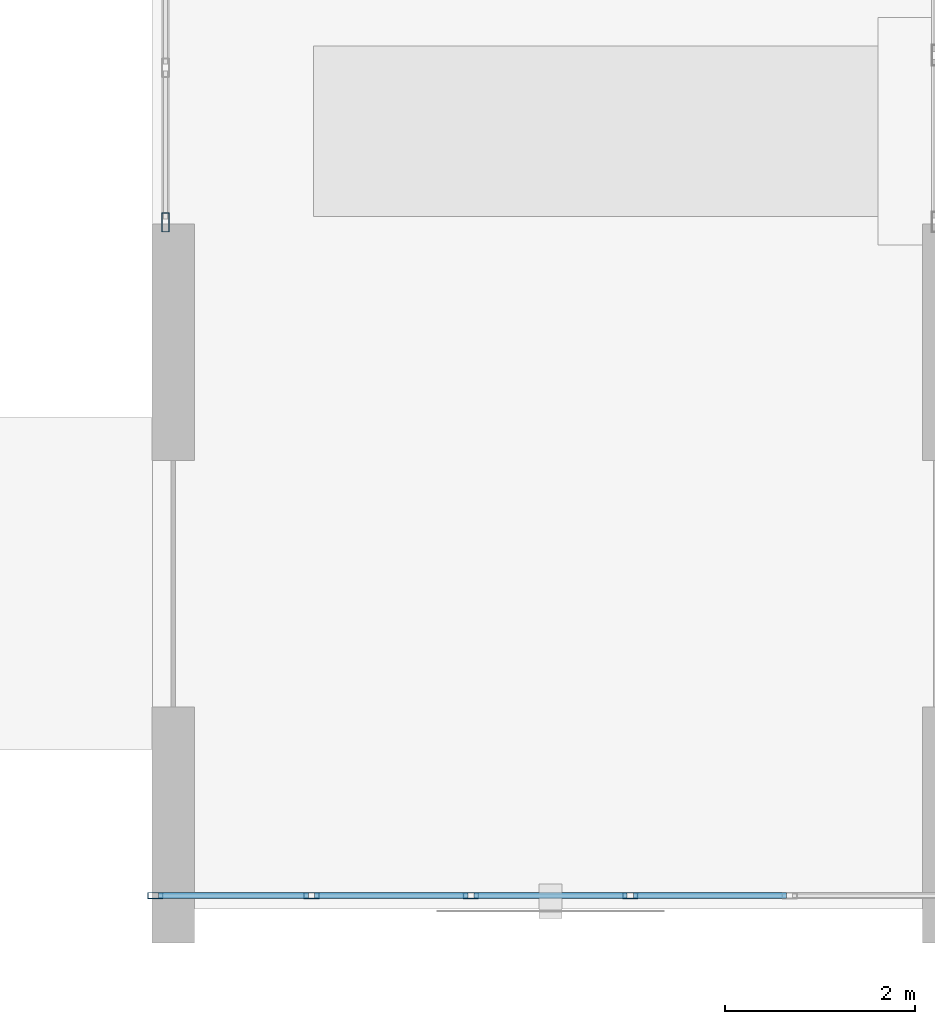
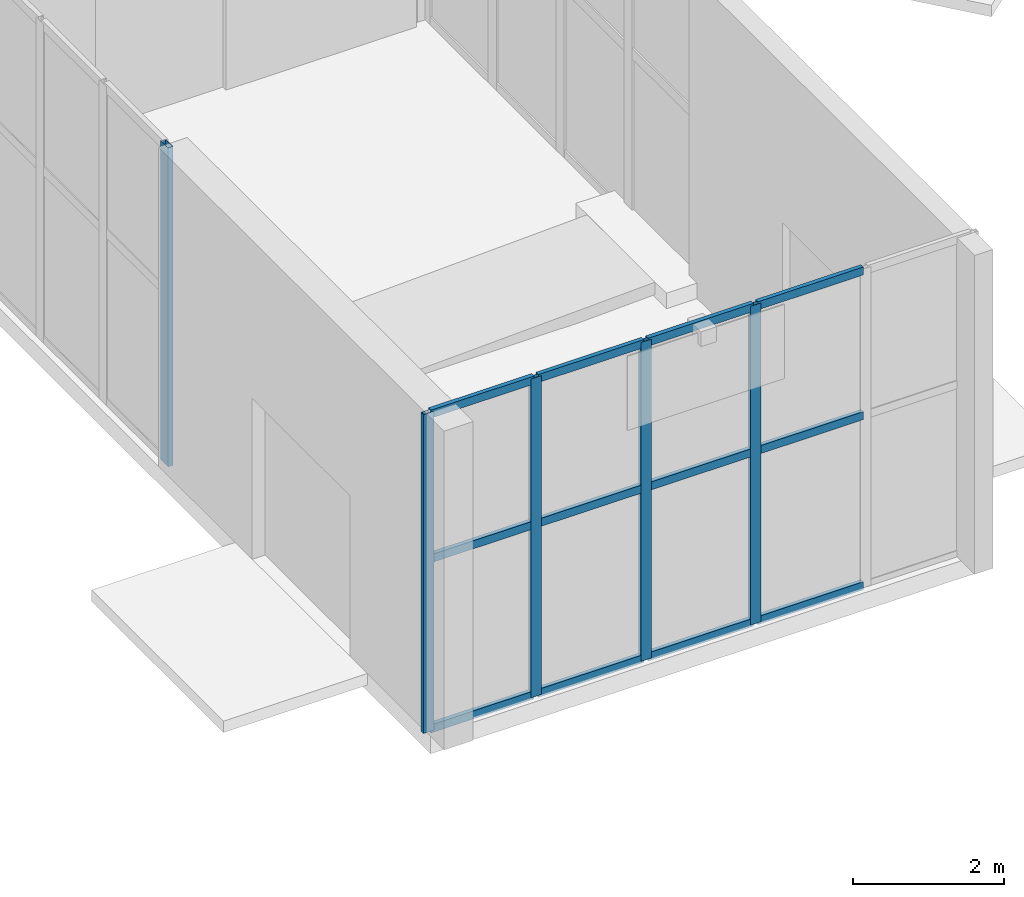
# One storey, part 10 of 139: 17 members, 2 elements without a shape of their own.
"""IFC4 building model written with IfcOpenShell, lengths in metres."""

from ifc_helpers import new_model, si_unit, direction, frame, origin, origin_2d, place, context, subcontext, project, spatial, hollow_rectangle, extrude, material, layer, layer_set, material_profile, profile_set, type_object, element, aggregate, save


model = new_model("IFC4")

# Units and contexts
model_context = context("Model", 3, precision=1e-05, world=origin(), true_north=direction((0.0, 1.0)))
body_context = subcontext(model_context, "Body", "Model", "MODEL_VIEW")
ifc_project = project(units=[si_unit("LENGTHUNIT", "METRE"), si_unit("AREAUNIT", "SQUARE_METRE"), si_unit("VOLUMEUNIT", "CUBIC_METRE"), si_unit("PLANEANGLEUNIT", "RADIAN"), si_unit("MASSUNIT", "GRAM", prefix="KILO")], contexts=[model_context])

# Site, building, storey
site_placement = place(None, origin())
site = spatial("IfcSite", under=ifc_project, at=site_placement, CompositionType="ELEMENT")
building_placement = place(site_placement, origin())
building = spatial("IfcBuilding", under=site, at=building_placement, Name="Xicomal Pleat Aquarium", CompositionType="ELEMENT")
storey_placement = place(building_placement, origin())
storey = spatial("IfcBuildingStorey", under=building, at=storey_placement, Name="L01", CompositionType="ELEMENT", Elevation=0.0)

# Curtain wall, members
ifc_material_1 = material(Name="Bronze anodized aluminium 6063-T6", Category="aluminium")
ifc_layer_1 = layer(ifc_material_1, 0.159912109375)
ifc_layer_set_1 = layer_set([ifc_layer_1], Name="Bronze anodized aluminium 6063-T6")
curtain_wall_type_1 = type_object("IfcCurtainWallType", Name="CW-SYS-01", PredefinedType="NOTDEFINED", material=ifc_layer_set_1)
curtain_wall_1_placement = place(storey_placement, origin())
curtain_wall_1 = element("IfcCurtainWall", 1, at=curtain_wall_1_placement, inside=storey, type_object=curtain_wall_type_1, Name="L01 unitised curtain wall CW-L01-006", PredefinedType="NOTDEFINED")
ifc_material_2 = material(Name="Bronze anodized aluminium 6063-T6", Category="aluminium")
ifc_material_profile_1 = material_profile(ifc_material_2, hollow_rectangle(XDim=0.06494140625, YDim=0.159912109375, WallThickness=0.00390625, at=origin_2d()), Name="ALU MULL 65x160")
ifc_profile_set_1 = profile_set([ifc_material_profile_1], Name="Bronze anodized aluminium 6063-T6")
member_type_1 = type_object("IfcMemberType", Name="CWM-65x160", PredefinedType="MULLION", material=ifc_profile_set_1)
member_1_placement = place(storey_placement, frame((48.840087890625, 0.93994140625, 0.0), z_axis=(0.0, 0.0, 1.0), x_axis=(0.0, -1.0, 0.0)))
member_1 = element("IfcMember", 2, at=member_1_placement, type_object=member_type_1, Name="CW-01 mullion 3", PredefinedType="MULLION", context=body_context, shape_type="SweptSolid", body=[
    extrude(hollow_rectangle(XDim=0.06494140625, YDim=0.159912109375, WallThickness=0.00390625, at=origin_2d()), origin(), (0.0, 0.0, 1.0), 5.159912109375),
])
member_2_placement = place(storey_placement, frame((47.159912109375, 0.93994140625, 0.0), z_axis=(0.0, 0.0, 1.0), x_axis=(0.0, -1.0, 0.0)))
member_2 = element("IfcMember", 3, at=member_2_placement, type_object=member_type_1, Name="CW-01 mullion 4", PredefinedType="MULLION", context=body_context, shape_type="SweptSolid", body=[
    extrude(hollow_rectangle(XDim=0.06494140625, YDim=0.159912109375, WallThickness=0.00390625, at=origin_2d()), origin(), (0.0, 0.0, 1.0), 5.159912109375),
])
member_3_placement = place(storey_placement, frame((45.47998046875, 0.93994140625, 0.0), z_axis=(0.0, 0.0, 1.0), x_axis=(0.0, -1.0, 0.0)))
member_3 = element("IfcMember", 4, at=member_3_placement, type_object=member_type_1, Name="CW-01 mullion 5", PredefinedType="MULLION", context=body_context, shape_type="SweptSolid", body=[
    extrude(hollow_rectangle(XDim=0.06494140625, YDim=0.159912109375, WallThickness=0.00390625, at=origin_2d()), origin(), (0.0, 0.0, 1.0), 5.159912109375),
])
member_4_placement = place(storey_placement, frame((43.83251953125, 0.93994140625, 0.0), z_axis=(0.0, 0.0, 1.0), x_axis=(0.0, -1.0, 0.0)))
member_4 = element("IfcMember", 5, at=member_4_placement, type_object=member_type_1, Name="CW-01 mullion 6", PredefinedType="MULLION", context=body_context, shape_type="SweptSolid", body=[
    extrude(hollow_rectangle(XDim=0.06494140625, YDim=0.159912109375, WallThickness=0.00390625, at=origin_2d()), origin(), (0.0, 0.0, 1.0), 5.159912109375),
])

# Curtain wall, member
ifc_material_3 = material(Name="Bronze anodized aluminium 6063-T6", Category="aluminium")
ifc_layer_2 = layer(ifc_material_3, 0.159912109375)
ifc_layer_set_2 = layer_set([ifc_layer_2], Name="Bronze anodized aluminium 6063-T6")
curtain_wall_type_2 = type_object("IfcCurtainWallType", Name="CW-SYS-06", PredefinedType="NOTDEFINED", material=ifc_layer_set_2)
curtain_wall_2_placement = place(storey_placement, origin())
curtain_wall_2 = element("IfcCurtainWall", 6, at=curtain_wall_2_placement, inside=storey, type_object=curtain_wall_type_2, Name="L01 unitised curtain wall CW-L01-007", PredefinedType="NOTDEFINED")
ifc_material_4 = material(Name="Bronze anodized aluminium 6063-T6", Category="aluminium")
ifc_material_profile_2 = material_profile(ifc_material_4, hollow_rectangle(XDim=0.074951171875, YDim=0.199951171875, WallThickness=0.00439453125, at=origin_2d()), Name="ALU MULL 75x200")
ifc_profile_set_2 = profile_set([ifc_material_profile_2], Name="Bronze anodized aluminium 6063-T6")
member_type_2 = type_object("IfcMemberType", Name="CWM-75x200", PredefinedType="MULLION", material=ifc_profile_set_2)
member_5_placement = place(storey_placement, frame((43.93994140625, 8.03759765625, 0.0), z_axis=(0.0, 0.0, 1.0), x_axis=(-1.0, 0.0, 0.0)))
member_5 = element("IfcMember", 7, at=member_5_placement, type_object=member_type_2, Name="CW-06 mullion 1", PredefinedType="MULLION", context=body_context, shape_type="SweptSolid", body=[
    extrude(hollow_rectangle(XDim=0.074951171875, YDim=0.199951171875, WallThickness=0.00439453125, at=origin_2d()), origin(), (0.0, 0.0, 1.0), 5.159912109375),
])
aggregate(curtain_wall_2, [member_5])

# Member
ifc_material_5 = material(Name="Bronze anodized aluminium 6063-T6", Category="aluminium")
ifc_material_profile_3 = material_profile(ifc_material_5, hollow_rectangle(XDim=0.06494140625, YDim=0.1298828125, WallThickness=0.00390625, at=origin_2d()), Name="ALU TRAN 65x130")
ifc_profile_set_3 = profile_set([ifc_material_profile_3], Name="Bronze anodized aluminium 6063-T6")
member_type_3 = type_object("IfcMemberType", Name="CWT-65x130", PredefinedType="USERDEFINED", material=ifc_profile_set_3)
member_6_placement = place(storey_placement, frame((50.487548828125, 0.93994140625, 0.032470703125), z_axis=(-1.0, 0.0, 0.0), x_axis=(0.0, -1.0, 0.0)))
member_6 = element("IfcMember", 8, at=member_6_placement, type_object=member_type_3, Name="CW-01 transom 2.1", ObjectType="TRANSOM", PredefinedType="USERDEFINED", context=body_context, shape_type="SweptSolid", body=[
    extrude(hollow_rectangle(XDim=0.06494140625, YDim=0.1298828125, WallThickness=0.00390625, at=origin_2d()), origin(), (0.0, 0.0, 1.0), 1.614990234375),
])

member_7_placement = place(storey_placement, frame((50.487548828125, 0.93994140625, 2.785888671875), z_axis=(-1.0, 0.0, 0.0), x_axis=(0.0, -1.0, 0.0)))
member_7 = element("IfcMember", 9, at=member_7_placement, type_object=member_type_3, Name="CW-01 transom 2.2", ObjectType="TRANSOM", PredefinedType="USERDEFINED", context=body_context, shape_type="SweptSolid", body=[
    extrude(hollow_rectangle(XDim=0.06494140625, YDim=0.1298828125, WallThickness=0.00390625, at=origin_2d()), origin(), (0.0, 0.0, 1.0), 1.614990234375),
])

member_8_placement = place(storey_placement, frame((50.487548828125, 0.93994140625, 5.12744140625), z_axis=(-1.0, 0.0, 0.0), x_axis=(0.0, -1.0, 0.0)))
member_8 = element("IfcMember", 10, at=member_8_placement, type_object=member_type_3, Name="CW-01 transom 2.3", ObjectType="TRANSOM", PredefinedType="USERDEFINED", context=body_context, shape_type="SweptSolid", body=[
    extrude(hollow_rectangle(XDim=0.06494140625, YDim=0.1298828125, WallThickness=0.00390625, at=origin_2d()), origin(), (0.0, 0.0, 1.0), 1.614990234375),
])

member_9_placement = place(storey_placement, frame((48.8076171875, 0.93994140625, 0.032470703125), z_axis=(-1.0, 0.0, 0.0), x_axis=(0.0, -1.0, 0.0)))
member_9 = element("IfcMember", 11, at=member_9_placement, type_object=member_type_3, Name="CW-01 transom 3.1", ObjectType="TRANSOM", PredefinedType="USERDEFINED", context=body_context, shape_type="SweptSolid", body=[
    extrude(hollow_rectangle(XDim=0.06494140625, YDim=0.1298828125, WallThickness=0.00390625, at=origin_2d()), origin(), (0.0, 0.0, 1.0), 1.615234375),
])

member_10_placement = place(storey_placement, frame((48.8076171875, 0.93994140625, 2.785888671875), z_axis=(-1.0, 0.0, 0.0), x_axis=(0.0, -1.0, 0.0)))
member_10 = element("IfcMember", 12, at=member_10_placement, type_object=member_type_3, Name="CW-01 transom 3.2", ObjectType="TRANSOM", PredefinedType="USERDEFINED", context=body_context, shape_type="SweptSolid", body=[
    extrude(hollow_rectangle(XDim=0.06494140625, YDim=0.1298828125, WallThickness=0.00390625, at=origin_2d()), origin(), (0.0, 0.0, 1.0), 1.615234375),
])

member_11_placement = place(storey_placement, frame((48.8076171875, 0.93994140625, 5.12744140625), z_axis=(-1.0, 0.0, 0.0), x_axis=(0.0, -1.0, 0.0)))
member_11 = element("IfcMember", 13, at=member_11_placement, type_object=member_type_3, Name="CW-01 transom 3.3", ObjectType="TRANSOM", PredefinedType="USERDEFINED", context=body_context, shape_type="SweptSolid", body=[
    extrude(hollow_rectangle(XDim=0.06494140625, YDim=0.1298828125, WallThickness=0.00390625, at=origin_2d()), origin(), (0.0, 0.0, 1.0), 1.615234375),
])

member_12_placement = place(storey_placement, frame((47.12744140625, 0.93994140625, 0.032470703125), z_axis=(-1.0, 0.0, 0.0), x_axis=(0.0, -1.0, 0.0)))
member_12 = element("IfcMember", 14, at=member_12_placement, type_object=member_type_3, Name="CW-01 transom 4.1", ObjectType="TRANSOM", PredefinedType="USERDEFINED", context=body_context, shape_type="SweptSolid", body=[
    extrude(hollow_rectangle(XDim=0.06494140625, YDim=0.1298828125, WallThickness=0.00390625, at=origin_2d()), origin(), (0.0, 0.0, 1.0), 1.614990234375),
])

member_13_placement = place(storey_placement, frame((47.12744140625, 0.93994140625, 2.785888671875), z_axis=(-1.0, 0.0, 0.0), x_axis=(0.0, -1.0, 0.0)))
member_13 = element("IfcMember", 15, at=member_13_placement, type_object=member_type_3, Name="CW-01 transom 4.2", ObjectType="TRANSOM", PredefinedType="USERDEFINED", context=body_context, shape_type="SweptSolid", body=[
    extrude(hollow_rectangle(XDim=0.06494140625, YDim=0.1298828125, WallThickness=0.00390625, at=origin_2d()), origin(), (0.0, 0.0, 1.0), 1.614990234375),
])

member_14_placement = place(storey_placement, frame((47.12744140625, 0.93994140625, 5.12744140625), z_axis=(-1.0, 0.0, 0.0), x_axis=(0.0, -1.0, 0.0)))
member_14 = element("IfcMember", 16, at=member_14_placement, type_object=member_type_3, Name="CW-01 transom 4.3", ObjectType="TRANSOM", PredefinedType="USERDEFINED", context=body_context, shape_type="SweptSolid", body=[
    extrude(hollow_rectangle(XDim=0.06494140625, YDim=0.1298828125, WallThickness=0.00390625, at=origin_2d()), origin(), (0.0, 0.0, 1.0), 1.614990234375),
])

member_15_placement = place(storey_placement, frame((45.447509765625, 0.93994140625, 0.032470703125), z_axis=(-1.0, 0.0, 0.0), x_axis=(0.0, -1.0, 0.0)))
member_15 = element("IfcMember", 17, at=member_15_placement, type_object=member_type_3, Name="CW-01 transom 5.1", ObjectType="TRANSOM", PredefinedType="USERDEFINED", context=body_context, shape_type="SweptSolid", body=[
    extrude(hollow_rectangle(XDim=0.06494140625, YDim=0.1298828125, WallThickness=0.00390625, at=origin_2d()), origin(), (0.0, 0.0, 1.0), 1.58251953125),
])

member_16_placement = place(storey_placement, frame((45.447509765625, 0.93994140625, 2.785888671875), z_axis=(-1.0, 0.0, 0.0), x_axis=(0.0, -1.0, 0.0)))
member_16 = element("IfcMember", 18, at=member_16_placement, type_object=member_type_3, Name="CW-01 transom 5.2", ObjectType="TRANSOM", PredefinedType="USERDEFINED", context=body_context, shape_type="SweptSolid", body=[
    extrude(hollow_rectangle(XDim=0.06494140625, YDim=0.1298828125, WallThickness=0.00390625, at=origin_2d()), origin(), (0.0, 0.0, 1.0), 1.58251953125),
])

member_17_placement = place(storey_placement, frame((45.447509765625, 0.93994140625, 5.12744140625), z_axis=(-1.0, 0.0, 0.0), x_axis=(0.0, -1.0, 0.0)))
member_17 = element("IfcMember", 19, at=member_17_placement, type_object=member_type_3, Name="CW-01 transom 5.3", ObjectType="TRANSOM", PredefinedType="USERDEFINED", context=body_context, shape_type="SweptSolid", body=[
    extrude(hollow_rectangle(XDim=0.06494140625, YDim=0.1298828125, WallThickness=0.00390625, at=origin_2d()), origin(), (0.0, 0.0, 1.0), 1.58251953125),
])

aggregate(curtain_wall_1, [member_1, member_2, member_3, member_4, member_6, member_7, member_8, member_9, member_10, member_11, member_12, member_13, member_14, member_15, member_16, member_17])

save(model, "model.ifc")
